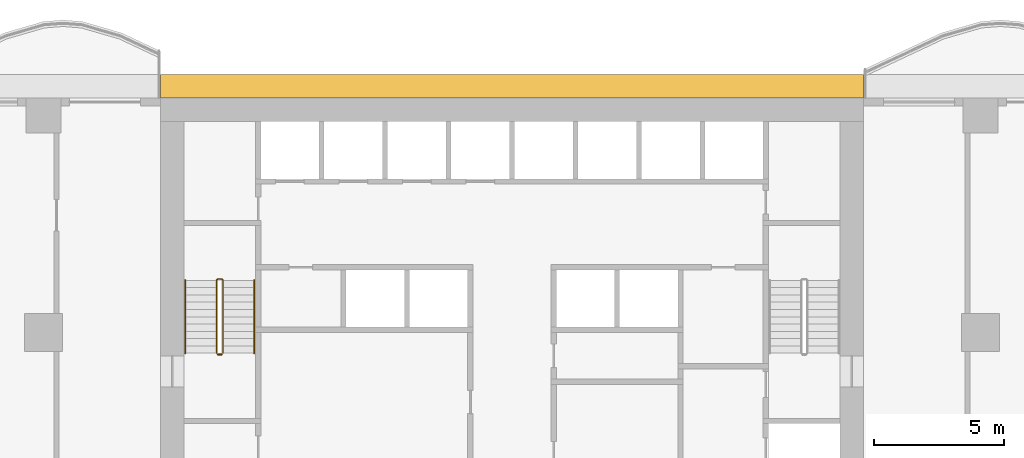
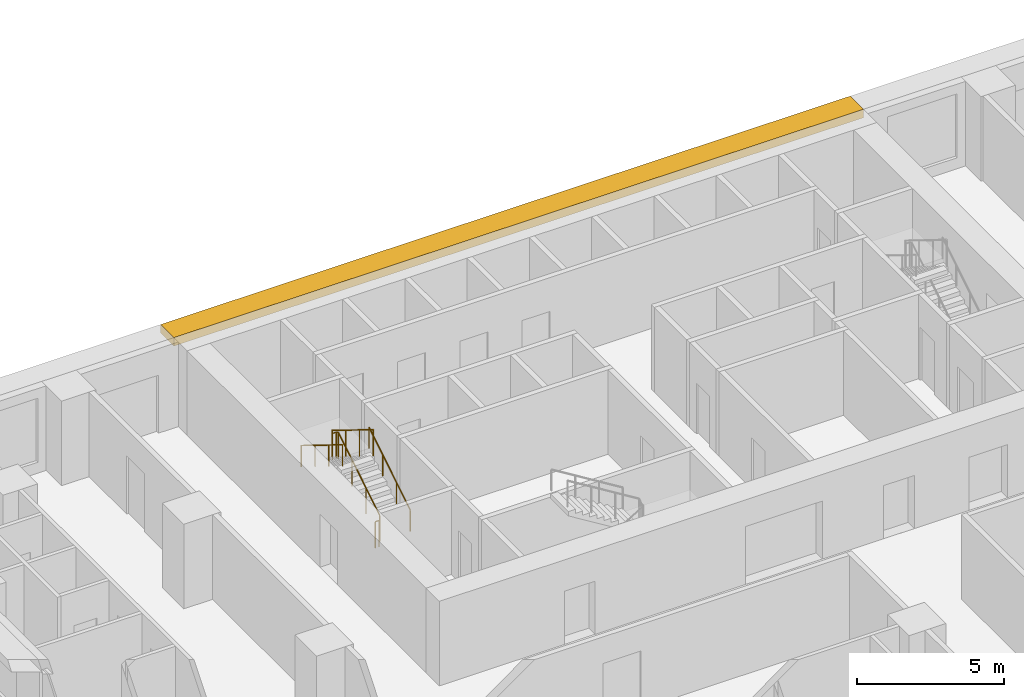
# One storey, part 11 of 13: 4 railings, 1 shading device.
"""IFC4 building model written with IfcOpenShell, lengths in metres."""

from ifc_helpers import new_model, si_unit, direction, frame, origin, origin_2d, place, context, subcontext, project, spatial, polyline, circle, outline, extrude, material, layer, layer_set, type_object, element, save


model = new_model("IFC4")

# Units and contexts
model_context = context("Model", 3, precision=1e-05, world=origin(), true_north=direction((0.0, 1.0)))
body_context = subcontext(model_context, "Body", "Model", "MODEL_VIEW")
ifc_project = project(units=[si_unit("LENGTHUNIT", "METRE"), si_unit("AREAUNIT", "SQUARE_METRE"), si_unit("VOLUMEUNIT", "CUBIC_METRE"), si_unit("PLANEANGLEUNIT", "RADIAN"), si_unit("MASSUNIT", "GRAM", prefix="KILO")], contexts=[model_context])

# Site, building, storey
site_placement = place(None, origin())
site = spatial("IfcSite", under=ifc_project, at=site_placement, CompositionType="ELEMENT")
building_placement = place(site_placement, origin())
building = spatial("IfcBuilding", under=site, at=building_placement, Name="Orbiselva Terraces", CompositionType="ELEMENT")
storey_placement = place(building_placement, frame((0.0, 0.0, 77.0)))
storey = spatial("IfcBuildingStorey", under=building, at=storey_placement, Name="L19", CompositionType="ELEMENT", Elevation=77.0)

# Railings
ifc_material_1 = material(Name="Stainless steel", Category="steel")
railing_type_1 = type_object("IfcRailingType", Name="CORE-GUARD-1100", PredefinedType="GUARDRAIL", material=ifc_material_1)
railing_1_placement = place(storey_placement, frame((-11.1, 12.7, 0.172727)))
element("IfcRailing", 1, at=railing_1_placement, inside=storey, type_object=railing_type_1, Name="L19 S1 stair guard 1", PredefinedType="GUARDRAIL", context=body_context, shape_type="SweptSolid", body=[
    extrude(circle(Radius=0.024, at=origin_2d()), frame((0.0, 0.0, 1.081), z_axis=(0.0, 0.851088519012, 0.52502222125), x_axis=(-1.0, 0.0, 0.0)), (0.0, 0.0, 1.0), 3.289905),
    extrude(circle(Radius=0.024, at=origin_2d()), frame((0.0, 2.8, 2.808273), z_axis=(-0.707106781187, 0.707106781187, 0.0), x_axis=(-0.707106781187, -0.707106781187, 0.0)), (0.0, 0.0, 1.0), 0.070711),
    extrude(circle(Radius=0.024, at=origin_2d()), frame((-0.05, 2.85, 2.808273), z_axis=(-1.0, 0.0, 0.0), x_axis=(0.0, -1.0, 0.0)), (0.0, 0.0, 1.0), 0.15),
    extrude(circle(Radius=0.024, at=origin_2d()), frame((-0.2, 2.85, 2.808273), z_axis=(-0.267894925557, -0.267894925557, 0.925453736133), x_axis=(0.707106781187, -0.707106781187, 0.0)), (0.0, 0.0, 1.0), 0.18664),
    extrude(circle(Radius=0.024, at=origin_2d()), frame((-0.25, 2.8, 2.981), z_axis=(0.0, -0.851088519012, 0.52502222125), x_axis=(1.0, 0.0, 0.0)), (0.0, 0.0, 1.0), 3.289905),
    extrude(circle(Radius=0.021, at=origin_2d()), origin(), (0.0, 0.0, 1.0), 1.057),
    extrude(circle(Radius=0.021, at=origin_2d()), frame((0.0, 0.933333, 0.575758)), (0.0, 0.0, 1.0), 1.057),
    extrude(circle(Radius=0.021, at=origin_2d()), frame((0.0, 1.866667, 1.151515)), (0.0, 0.0, 1.0), 1.057),
    extrude(circle(Radius=0.021, at=origin_2d()), frame((0.0, 2.8, 1.727273)), (0.0, 0.0, 1.0), 1.057),
    extrude(circle(Radius=0.021, at=origin_2d()), frame((-0.05, 2.85, 1.727273)), (0.0, 0.0, 1.0), 1.057),
    extrude(circle(Radius=0.021, at=origin_2d()), frame((-0.2, 2.85, 1.727273)), (0.0, 0.0, 1.0), 1.057),
    extrude(circle(Radius=0.021, at=origin_2d()), frame((-0.25, 2.8, 1.9)), (0.0, 0.0, 1.0), 1.057),
    extrude(circle(Radius=0.021, at=origin_2d()), frame((-0.25, 1.866667, 2.475758)), (0.0, 0.0, 1.0), 1.057),
    extrude(circle(Radius=0.021, at=origin_2d()), frame((-0.25, 0.933333, 3.051515)), (0.0, 0.0, 1.0), 1.057),
    extrude(circle(Radius=0.021, at=origin_2d()), frame((-0.25, 0.0, 3.627273)), (0.0, 0.0, 1.0), 1.057),
])
railing_2_placement = place(storey_placement, frame((-11.15, 12.65, 0.0)))
element("IfcRailing", 2, at=railing_2_placement, inside=storey, type_object=railing_type_1, Name="L19 S1 stair guard 2", PredefinedType="GUARDRAIL", context=body_context, shape_type="SweptSolid", body=[
    extrude(circle(Radius=0.024, at=origin_2d()), frame((0.0, 0.0, 1.081), z_axis=(-1.0, 0.0, 0.0), x_axis=(0.0, -1.0, 0.0)), (0.0, 0.0, 1.0), 0.15),
    extrude(circle(Radius=0.021, at=origin_2d()), origin(), (0.0, 0.0, 1.0), 1.057),
    extrude(circle(Radius=0.021, at=origin_2d()), frame((-0.15, 0.0, 0.0)), (0.0, 0.0, 1.0), 1.057),
])
railing_type_2 = type_object("IfcRailingType", Name="CORE-HANDRAIL-900", PredefinedType="HANDRAIL", material=ifc_material_1)
railing_3_placement = place(storey_placement, frame((-9.9, 12.7, 0.172727)))
element("IfcRailing", 3, at=railing_3_placement, inside=storey, type_object=railing_type_2, Name="L19 S1 stair handrail 1", PredefinedType="HANDRAIL", context=body_context, shape_type="SweptSolid", body=[
    extrude(circle(Radius=0.024, at=origin_2d()), frame((0.0, 0.0, 0.876), z_axis=(0.0, 0.851088519012, 0.52502222125), x_axis=(-1.0, 0.0, 0.0)), (0.0, 0.0, 1.0), 3.289905),
    extrude(circle(Radius=0.021, at=origin_2d()), origin(), (0.0, 0.0, 1.0), 0.852),
    extrude(circle(Radius=0.021, at=origin_2d()), frame((0.0, 0.933333, 0.575758)), (0.0, 0.0, 1.0), 0.852),
    extrude(circle(Radius=0.021, at=origin_2d()), frame((0.0, 1.866667, 1.151515)), (0.0, 0.0, 1.0), 0.852),
    extrude(circle(Radius=0.021, at=origin_2d()), frame((0.0, 2.8, 1.727273)), (0.0, 0.0, 1.0), 0.852),
])
railing_4_placement = place(storey_placement, frame((-12.55, 15.5, 2.072727)))
element("IfcRailing", 4, at=railing_4_placement, inside=storey, type_object=railing_type_2, Name="L19 S1 stair handrail 2", PredefinedType="HANDRAIL", context=body_context, shape_type="SweptSolid", body=[
    extrude(circle(Radius=0.024, at=origin_2d()), frame((0.0, 0.0, 0.876), z_axis=(0.0, -0.851088519012, 0.52502222125), x_axis=(1.0, 0.0, 0.0)), (0.0, 0.0, 1.0), 3.289905),
    extrude(circle(Radius=0.021, at=origin_2d()), origin(), (0.0, 0.0, 1.0), 0.852),
    extrude(circle(Radius=0.021, at=origin_2d()), frame((0.0, -0.933333, 0.575758)), (0.0, 0.0, 1.0), 0.852),
    extrude(circle(Radius=0.021, at=origin_2d()), frame((0.0, -1.866667, 1.151515)), (0.0, 0.0, 1.0), 0.852),
    extrude(circle(Radius=0.021, at=origin_2d()), frame((0.0, -2.8, 1.727273)), (0.0, 0.0, 1.0), 0.852),
])

# Shading device
ifc_material_2 = material(Name="Terracotta baguette sunshade", Category="masonry")
ifc_layer = layer(ifc_material_2, 0.35)
ifc_layer_set = layer_set([ifc_layer], Name="Terracotta baguette sunshade")
shading_device_type = type_object("IfcShadingDeviceType", Name="ENV-SUNSHADE-900x350", PredefinedType="USERDEFINED", material=ifc_layer_set)
shading_device_placement = place(storey_placement, frame((0.0, 0.0, 3.15)))
element("IfcShadingDevice", 5, at=shading_device_placement, inside=storey, type_object=shading_device_type, Name="Sunshade band L19 CORE NORTH", ObjectType="SUNSHADE", PredefinedType="USERDEFINED", context=body_context, shape_type="SweptSolid", body=[
    extrude(outline(polyline([(13.5, 23.4), (-13.5, 23.4), (-13.5, 22.5), (13.5, 22.5), (13.5, 23.4)])), origin(), (0.0, 0.0, 1.0), 0.35),
])

save(model, "model.ifc")
